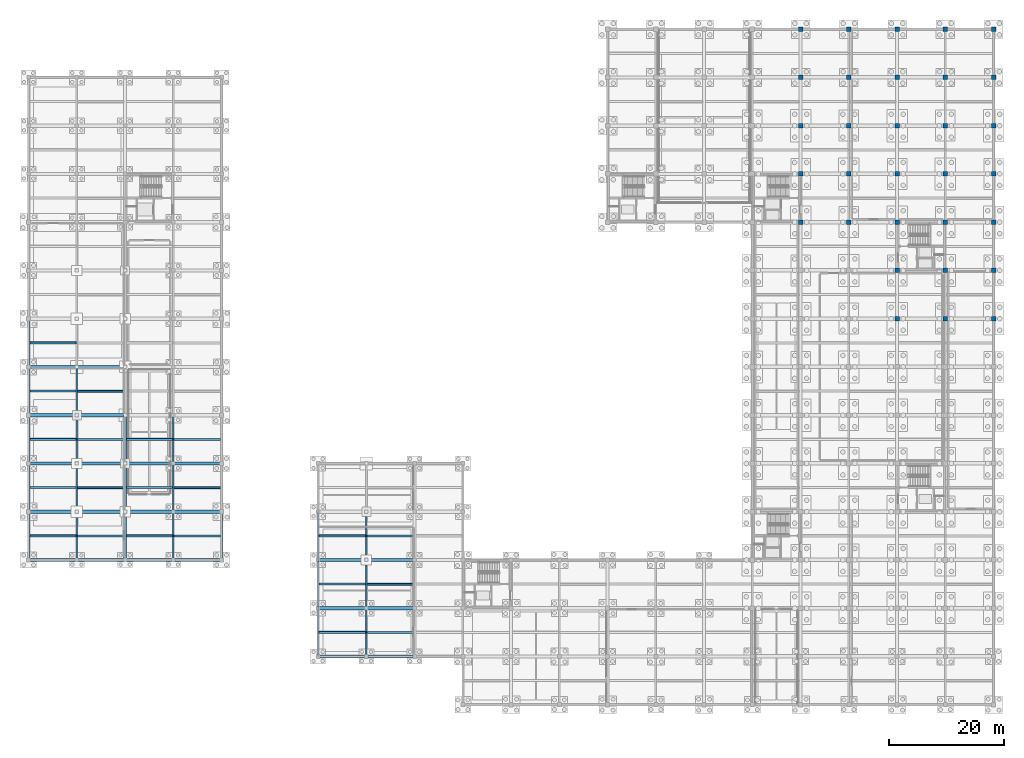
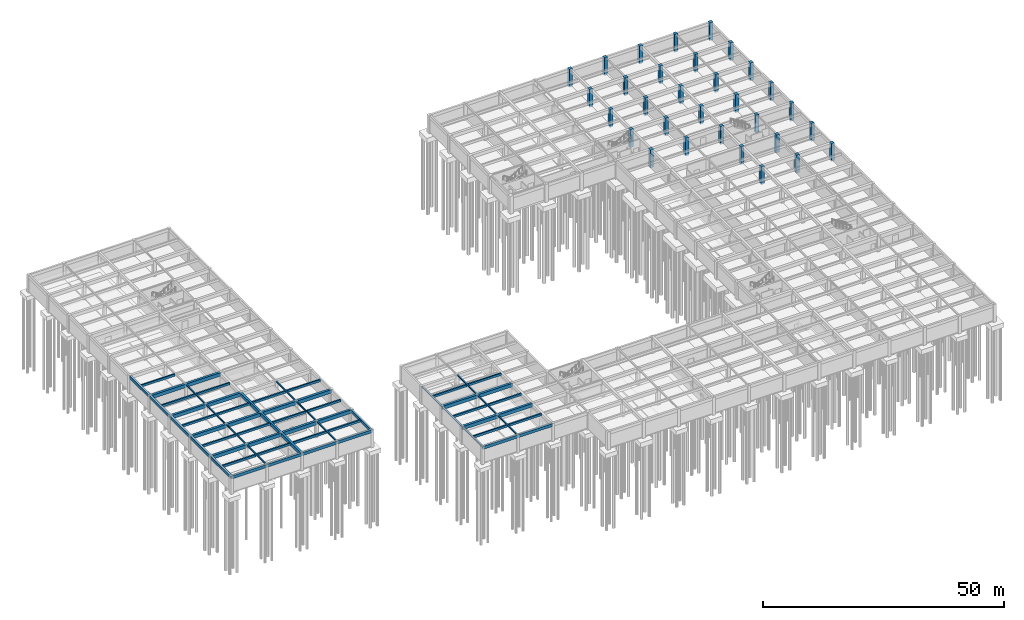
# One storey, part 8 of 33: 65 beams, 31 columns.
"""IFC4 building model written with IfcOpenShell, lengths in metres."""

from ifc_helpers import new_model, si_unit, direction, frame, origin, origin_2d, place, context, subcontext, project, spatial, rectangle, i_section, extrude, material, material_profile, profile_set, type_object, element, save


model = new_model("IFC4")

# Units and contexts
model_context = context("Model", 3, precision=1e-05, world=origin(), true_north=direction((0.0, 1.0)))
body_context = subcontext(model_context, "Body", "Model", "MODEL_VIEW")
ifc_project = project(units=[si_unit("LENGTHUNIT", "METRE"), si_unit("AREAUNIT", "SQUARE_METRE"), si_unit("VOLUMEUNIT", "CUBIC_METRE"), si_unit("PLANEANGLEUNIT", "RADIAN"), si_unit("MASSUNIT", "GRAM", prefix="KILO")], contexts=[model_context])

# Site, building, storey
site_placement = place(None, origin())
site = spatial("IfcSite", under=ifc_project, at=site_placement, CompositionType="ELEMENT")
building_placement = place(site_placement, origin())
building = spatial("IfcBuilding", under=site, at=building_placement, Name="Kveldsbrygga Polytechnic", CompositionType="ELEMENT")
storey_placement = place(building_placement, frame((0.0, 0.0, -4.419921875)))
storey = spatial("IfcBuildingStorey", under=building, at=storey_placement, Name="B1", CompositionType="ELEMENT", Elevation=-4.419921875)

# Columns
ifc_material_1 = material(Name="Concrete C45/55", Category="concrete")
ifc_material_profile_1 = material_profile(ifc_material_1, rectangle(XDim=0.780029296875, YDim=0.780029296875, at=origin_2d()), Name="RC 780x780")
ifc_profile_set_1 = profile_set([ifc_material_profile_1], Name="Concrete C45/55")
column_type_1 = type_object("IfcColumnType", Name="COL-RC-780", PredefinedType="COLUMN", material=ifc_profile_set_1)
for number, where, z_axis, x_axis, name in (
    (1, (134.39990234375, 92.39990234375, -0.400146484375), (0.0, 0.0, 1.0), (1.0, 0.0, 0.0), "Column COL-B1-16-11"),
    (2, (134.39990234375, 109.199951171875, -0.400146484375), (0.0, 0.0, 1.0), (1.0, 0.0, 0.0), "Column COL-B1-16-13"),
    (3, (142.800048828125, 84.0, -0.400146484375), (0.0, 0.0, 1.0), (1.0, 0.0, 0.0), "Column COL-B1-17-10"),
    (4, (142.800048828125, 100.800048828125, -0.400146484375), (0.0, 0.0, 1.0), (1.0, 0.0, 0.0), "Column COL-B1-17-12"),
    (5, (142.800048828125, 117.60009765625, -0.400146484375), (0.0, 0.0, 1.0), (1.0, 0.0, 0.0), "Column COL-B1-17-14"),
    (6, (151.199951171875, 75.60009765625, -0.400146484375), (0.0, 0.0, 1.0), (1.0, 0.0, 0.0), "Column COL-B1-18-09"),
    (7, (151.199951171875, 92.39990234375, -0.400146484375), (0.0, 0.0, 1.0), (1.0, 0.0, 0.0), "Column COL-B1-18-11"),
    (8, (151.199951171875, 109.199951171875, -0.400146484375), (0.0, 0.0, 1.0), (1.0, 0.0, 0.0), "Column COL-B1-18-13"),
    (9, (159.60009765625, 67.199951171875, -0.400146484375), (0.0, 0.0, 1.0), (1.0, 0.0, 0.0), "Column COL-B1-19-08"),
    (10, (159.60009765625, 84.0, -0.400146484375), (0.0, 0.0, 1.0), (1.0, 0.0, 0.0), "Column COL-B1-19-10"),
    (11, (159.60009765625, 100.800048828125, -0.400146484375), (0.0, 0.0, 1.0), (1.0, 0.0, 0.0), "Column COL-B1-19-12"),
    (12, (159.60009765625, 117.60009765625, -0.400146484375), (0.0, 0.0, 1.0), (1.0, 0.0, 0.0), "Column COL-B1-19-14"),
    (13, (168.0, 75.60009765625, -0.400146484375), (0.0, 0.0, 1.0), (1.0, 0.0, 0.0), "Column COL-B1-20-09"),
    (14, (168.0, 92.39990234375, -0.400146484375), (0.0, 0.0, 1.0), (1.0, 0.0, 0.0), "Column COL-B1-20-11"),
    (15, (168.0, 109.199951171875, -0.400146484375), (0.0, 0.0, 1.0), (1.0, 0.0, 0.0), "Column COL-B1-20-13"),
):
    element("IfcColumn", number, at=place(storey_placement, frame(where, z_axis=z_axis, x_axis=x_axis)), inside=storey, type_object=column_type_1, Name=name, PredefinedType="COLUMN", context=body_context, shape_type="SweptSolid", body=[
        extrude(rectangle(XDim=0.780029296875, YDim=0.780029296875, at=origin_2d()), origin(), (0.0, 0.0, 1.0), 4.52001953125),
    ])
ifc_material_profile_2 = material_profile(ifc_material_1, rectangle(XDim=0.800048828125, YDim=0.800048828125, at=origin_2d()), Name="RC 800x800")
ifc_profile_set_2 = profile_set([ifc_material_profile_2], Name="Concrete C45/55")
column_type_2 = type_object("IfcColumnType", Name="COL-RC-800", PredefinedType="COLUMN", material=ifc_profile_set_2)
for number, where, z_axis, x_axis, name in (
    (16, (134.39990234375, 84.0, -0.400146484375), (0.0, 0.0, 1.0), (1.0, 0.0, 0.0), "Column COL-B1-16-10"),
    (17, (134.39990234375, 100.800048828125, -0.400146484375), (0.0, 0.0, 1.0), (1.0, 0.0, 0.0), "Column COL-B1-16-12"),
    (18, (134.39990234375, 117.60009765625, -0.400146484375), (0.0, 0.0, 1.0), (1.0, 0.0, 0.0), "Column COL-B1-16-14"),
    (19, (142.800048828125, 92.39990234375, -0.400146484375), (0.0, 0.0, 1.0), (1.0, 0.0, 0.0), "Column COL-B1-17-11"),
    (20, (142.800048828125, 109.199951171875, -0.400146484375), (0.0, 0.0, 1.0), (1.0, 0.0, 0.0), "Column COL-B1-17-13"),
    (21, (151.199951171875, 67.199951171875, -0.400146484375), (0.0, 0.0, 1.0), (1.0, 0.0, 0.0), "Column COL-B1-18-08"),
    (22, (151.199951171875, 84.0, -0.400146484375), (0.0, 0.0, 1.0), (1.0, 0.0, 0.0), "Column COL-B1-18-10"),
    (23, (151.199951171875, 100.800048828125, -0.400146484375), (0.0, 0.0, 1.0), (1.0, 0.0, 0.0), "Column COL-B1-18-12"),
    (24, (151.199951171875, 117.60009765625, -0.400146484375), (0.0, 0.0, 1.0), (1.0, 0.0, 0.0), "Column COL-B1-18-14"),
    (25, (159.60009765625, 75.60009765625, -0.400146484375), (0.0, 0.0, 1.0), (1.0, 0.0, 0.0), "Column COL-B1-19-09"),
    (26, (159.60009765625, 92.39990234375, -0.400146484375), (0.0, 0.0, 1.0), (1.0, 0.0, 0.0), "Column COL-B1-19-11"),
    (27, (159.60009765625, 109.199951171875, -0.400146484375), (0.0, 0.0, 1.0), (1.0, 0.0, 0.0), "Column COL-B1-19-13"),
    (28, (168.0, 67.199951171875, -0.400146484375), (0.0, 0.0, 1.0), (1.0, 0.0, 0.0), "Column COL-B1-20-08"),
    (29, (168.0, 84.0, -0.400146484375), (0.0, 0.0, 1.0), (1.0, 0.0, 0.0), "Column COL-B1-20-10"),
    (30, (168.0, 100.800048828125, -0.400146484375), (0.0, 0.0, 1.0), (1.0, 0.0, 0.0), "Column COL-B1-20-12"),
    (31, (168.0, 117.60009765625, -0.400146484375), (0.0, 0.0, 1.0), (1.0, 0.0, 0.0), "Column COL-B1-20-14"),
):
    element("IfcColumn", number, at=place(storey_placement, frame(where, z_axis=z_axis, x_axis=x_axis)), inside=storey, type_object=column_type_2, Name=name, PredefinedType="COLUMN", context=body_context, shape_type="SweptSolid", body=[
        extrude(rectangle(XDim=0.800048828125, YDim=0.800048828125, at=origin_2d()), origin(), (0.0, 0.0, 1.0), 4.52001953125),
    ])

# Beams
ifc_material_2 = material(Name="Concrete C35/45", Category="concrete")
ifc_material_profile_3 = material_profile(ifc_material_2, rectangle(XDim=0.449951171875, YDim=0.75, at=origin_2d()), Name="RC 450x750")
ifc_profile_set_3 = profile_set([ifc_material_profile_3], Name="Concrete C35/45")
beam_type_1 = type_object("IfcBeamType", Name="BM-RC-450x750", PredefinedType="BEAM", material=ifc_profile_set_3)
beam_1_placement = place(storey_placement, frame((50.39990234375, 8.39990234375, 3.724853515625), z_axis=(1.0, 0.0, 0.0), x_axis=(0.0, 1.0, 0.0)))
element("IfcBeam", 32, at=beam_1_placement, inside=storey, type_object=beam_type_1, Name="Primary Beam BMX-B1-06to07-01", PredefinedType="BEAM", context=body_context, shape_type="SweptSolid", body=[
    extrude(rectangle(XDim=0.449951171875, YDim=0.75, at=origin_2d()), origin(), (0.0, 0.0, 1.0), 8.400146484375),
])
for number, where, z_axis, x_axis, name in (
    (33, (58.800048828125, 8.39990234375, 3.724853515625), (1.0, 0.0, 0.0), (0.0, 1.0, 0.0), "Primary Beam BMX-B1-07to08-01"),
    (34, (0.0, 25.199951171875, 3.704833984375), (1.0, 0.0, 0.0), (0.0, 1.0, 0.0), "Primary Beam BMX-B1-00to01-03"),
):
    element("IfcBeam", number, at=place(storey_placement, frame(where, z_axis=z_axis, x_axis=x_axis)), inside=storey, type_object=beam_type_1, Name=name, PredefinedType="BEAM", context=body_context, shape_type="SweptSolid", body=[
        extrude(rectangle(XDim=0.449951171875, YDim=0.75, at=origin_2d()), origin(), (0.0, 0.0, 1.0), 8.39990234375),
    ])
beam_2_placement = place(storey_placement, frame((8.39990234375, 25.199951171875, 3.704833984375), z_axis=(1.0, 0.0, 0.0), x_axis=(0.0, 1.0, 0.0)))
element("IfcBeam", 35, at=beam_2_placement, inside=storey, type_object=beam_type_1, Name="Primary Beam BMX-B1-01to02-03", PredefinedType="BEAM", context=body_context, shape_type="SweptSolid", body=[
    extrude(rectangle(XDim=0.449951171875, YDim=0.75, at=origin_2d()), origin(), (0.0, 0.0, 1.0), 8.400146484375),
])
beam_3_placement = place(storey_placement, frame((16.800048828125, 25.199951171875, 3.704833984375), z_axis=(1.0, 0.0, 0.0), x_axis=(0.0, 1.0, 0.0)))
element("IfcBeam", 36, at=beam_3_placement, inside=storey, type_object=beam_type_1, Name="Primary Beam BMX-B1-02to03-03", PredefinedType="BEAM", context=body_context, shape_type="SweptSolid", body=[
    extrude(rectangle(XDim=0.449951171875, YDim=0.75, at=origin_2d()), origin(), (0.0, 0.0, 1.0), 8.39990234375),
])
for number, where, z_axis, x_axis, name in (
    (37, (25.199951171875, 25.199951171875, 3.704833984375), (1.0, 0.0, 0.0), (0.0, 1.0, 0.0), "Primary Beam BMX-B1-03to04-03"),
    (38, (0.0, 25.199951171875, 3.704833984375), (0.0, 1.0, 0.0), (-1.0, 0.0, 0.0), "Primary Beam BMY-B1-00-03to04"),
):
    element("IfcBeam", number, at=place(storey_placement, frame(where, z_axis=z_axis, x_axis=x_axis)), inside=storey, type_object=beam_type_1, Name=name, PredefinedType="BEAM", context=body_context, shape_type="SweptSolid", body=[
        extrude(rectangle(XDim=0.449951171875, YDim=0.75, at=origin_2d()), origin(), (0.0, 0.0, 1.0), 8.400146484375),
    ])
for number, where, z_axis, x_axis, name in (
    (39, (0.0, 33.60009765625, 3.704833984375), (0.0, 1.0, 0.0), (-1.0, 0.0, 0.0), "Primary Beam BMY-B1-00-04to05"),
    (40, (0.0, 42.0, 3.704833984375), (0.0, 1.0, 0.0), (-1.0, 0.0, 0.0), "Primary Beam BMY-B1-00-05to06"),
):
    element("IfcBeam", number, at=place(storey_placement, frame(where, z_axis=z_axis, x_axis=x_axis)), inside=storey, type_object=beam_type_1, Name=name, PredefinedType="BEAM", context=body_context, shape_type="SweptSolid", body=[
        extrude(rectangle(XDim=0.449951171875, YDim=0.75, at=origin_2d()), origin(), (0.0, 0.0, 1.0), 8.39990234375),
    ])
beam_4_placement = place(storey_placement, frame((0.0, 50.39990234375, 3.704833984375), z_axis=(0.0, 1.0, 0.0), x_axis=(-1.0, 0.0, 0.0)))
element("IfcBeam", 41, at=beam_4_placement, inside=storey, type_object=beam_type_1, Name="Primary Beam BMY-B1-00-06to07", PredefinedType="BEAM", context=body_context, shape_type="SweptSolid", body=[
    extrude(rectangle(XDim=0.449951171875, YDim=0.75, at=origin_2d()), origin(), (0.0, 0.0, 1.0), 8.400146484375),
])
beam_5_placement = place(storey_placement, frame((0.0, 58.800048828125, 3.704833984375), z_axis=(0.0, 1.0, 0.0), x_axis=(-1.0, 0.0, 0.0)))
element("IfcBeam", 42, at=beam_5_placement, inside=storey, type_object=beam_type_1, Name="Primary Beam BMY-B1-00-07to08", PredefinedType="BEAM", context=body_context, shape_type="SweptSolid", body=[
    extrude(rectangle(XDim=0.449951171875, YDim=0.75, at=origin_2d()), origin(), (0.0, 0.0, 1.0), 8.39990234375),
])
beam_6_placement = place(storey_placement, frame((33.60009765625, 25.199951171875, 3.704833984375), z_axis=(0.0, 1.0, 0.0), x_axis=(-1.0, 0.0, 0.0)))
element("IfcBeam", 43, at=beam_6_placement, inside=storey, type_object=beam_type_1, Name="Primary Beam BMY-B1-04-03to04", PredefinedType="BEAM", context=body_context, shape_type="SweptSolid", body=[
    extrude(rectangle(XDim=0.449951171875, YDim=0.75, at=origin_2d()), origin(), (0.0, 0.0, 1.0), 8.400146484375),
])
ifc_material_profile_4 = material_profile(ifc_material_2, rectangle(XDim=0.5, YDim=0.800048828125, at=origin_2d()), Name="RC 500x800")
ifc_profile_set_4 = profile_set([ifc_material_profile_4], Name="Concrete C35/45")
beam_type_2 = type_object("IfcBeamType", Name="BM-RC-500x800", PredefinedType="BEAM", material=ifc_profile_set_4)
beam_7_placement = place(storey_placement, frame((16.800048828125, 25.199951171875, 3.679931640625), z_axis=(0.0, 1.0, 0.0), x_axis=(-1.0, 0.0, 0.0)))
element("IfcBeam", 44, at=beam_7_placement, inside=storey, type_object=beam_type_2, Name="Primary Beam BMY-B1-02-03to04", PredefinedType="BEAM", context=body_context, shape_type="SweptSolid", body=[
    extrude(rectangle(XDim=0.5, YDim=0.800048828125, at=origin_2d()), origin(), (0.0, 0.0, 1.0), 8.400146484375),
])
for number, where, z_axis, x_axis, name in (
    (45, (16.800048828125, 33.60009765625, 3.679931640625), (0.0, 1.0, 0.0), (-1.0, 0.0, 0.0), "Primary Beam BMY-B1-02-04to05"),
    (46, (16.800048828125, 42.0, 3.679931640625), (0.0, 1.0, 0.0), (-1.0, 0.0, 0.0), "Primary Beam BMY-B1-02-05to06"),
):
    element("IfcBeam", number, at=place(storey_placement, frame(where, z_axis=z_axis, x_axis=x_axis)), inside=storey, type_object=beam_type_2, Name=name, PredefinedType="BEAM", context=body_context, shape_type="SweptSolid", body=[
        extrude(rectangle(XDim=0.5, YDim=0.800048828125, at=origin_2d()), origin(), (0.0, 0.0, 1.0), 8.39990234375),
    ])
ifc_material_profile_5 = material_profile(ifc_material_1, rectangle(XDim=0.550048828125, YDim=0.8798828125, at=origin_2d()), Name="RC 550x880")
ifc_profile_set_5 = profile_set([ifc_material_profile_5], Name="Concrete C45/55")
beam_type_3 = type_object("IfcBeamType", Name="BM-RC-550x880", PredefinedType="BEAM", material=ifc_profile_set_5)
beam_8_placement = place(storey_placement, frame((50.39990234375, 16.800048828125, 3.659912109375), z_axis=(1.0, 0.0, 0.0), x_axis=(0.0, 1.0, 0.0)))
element("IfcBeam", 47, at=beam_8_placement, inside=storey, type_object=beam_type_3, Name="Primary Beam BMX-B1-06to07-02", PredefinedType="BEAM", context=body_context, shape_type="SweptSolid", body=[
    extrude(rectangle(XDim=0.550048828125, YDim=0.8798828125, at=origin_2d()), origin(), (0.0, 0.0, 1.0), 8.400146484375),
])
beam_9_placement = place(storey_placement, frame((58.800048828125, 16.800048828125, 3.659912109375), z_axis=(1.0, 0.0, 0.0), x_axis=(0.0, 1.0, 0.0)))
element("IfcBeam", 48, at=beam_9_placement, inside=storey, type_object=beam_type_3, Name="Primary Beam BMX-B1-07to08-02", PredefinedType="BEAM", context=body_context, shape_type="SweptSolid", body=[
    extrude(rectangle(XDim=0.550048828125, YDim=0.8798828125, at=origin_2d()), origin(), (0.0, 0.0, 1.0), 8.39990234375),
])
beam_10_placement = place(storey_placement, frame((50.39990234375, 25.199951171875, 3.659912109375), z_axis=(1.0, 0.0, 0.0), x_axis=(0.0, 1.0, 0.0)))
element("IfcBeam", 49, at=beam_10_placement, inside=storey, type_object=beam_type_3, Name="Primary Beam BMX-B1-06to07-03", PredefinedType="BEAM", context=body_context, shape_type="SweptSolid", body=[
    extrude(rectangle(XDim=0.550048828125, YDim=0.8798828125, at=origin_2d()), origin(), (0.0, 0.0, 1.0), 8.400146484375),
])
for number, where, z_axis, x_axis, name in (
    (50, (58.800048828125, 25.199951171875, 3.659912109375), (1.0, 0.0, 0.0), (0.0, 1.0, 0.0), "Primary Beam BMX-B1-07to08-03"),
    (51, (0.0, 33.60009765625, 3.639892578125), (1.0, 0.0, 0.0), (0.0, 1.0, 0.0), "Primary Beam BMX-B1-00to01-04"),
):
    element("IfcBeam", number, at=place(storey_placement, frame(where, z_axis=z_axis, x_axis=x_axis)), inside=storey, type_object=beam_type_3, Name=name, PredefinedType="BEAM", context=body_context, shape_type="SweptSolid", body=[
        extrude(rectangle(XDim=0.550048828125, YDim=0.8798828125, at=origin_2d()), origin(), (0.0, 0.0, 1.0), 8.39990234375),
    ])
beam_11_placement = place(storey_placement, frame((8.39990234375, 33.60009765625, 3.639892578125), z_axis=(1.0, 0.0, 0.0), x_axis=(0.0, 1.0, 0.0)))
element("IfcBeam", 52, at=beam_11_placement, inside=storey, type_object=beam_type_3, Name="Primary Beam BMX-B1-01to02-04", PredefinedType="BEAM", context=body_context, shape_type="SweptSolid", body=[
    extrude(rectangle(XDim=0.550048828125, YDim=0.8798828125, at=origin_2d()), origin(), (0.0, 0.0, 1.0), 8.400146484375),
])
beam_12_placement = place(storey_placement, frame((16.800048828125, 33.60009765625, 3.639892578125), z_axis=(1.0, 0.0, 0.0), x_axis=(0.0, 1.0, 0.0)))
element("IfcBeam", 53, at=beam_12_placement, inside=storey, type_object=beam_type_3, Name="Primary Beam BMX-B1-02to03-04", PredefinedType="BEAM", context=body_context, shape_type="SweptSolid", body=[
    extrude(rectangle(XDim=0.550048828125, YDim=0.8798828125, at=origin_2d()), origin(), (0.0, 0.0, 1.0), 8.39990234375),
])
beam_13_placement = place(storey_placement, frame((25.199951171875, 33.60009765625, 3.639892578125), z_axis=(1.0, 0.0, 0.0), x_axis=(0.0, 1.0, 0.0)))
element("IfcBeam", 54, at=beam_13_placement, inside=storey, type_object=beam_type_3, Name="Primary Beam BMX-B1-03to04-04", PredefinedType="BEAM", context=body_context, shape_type="SweptSolid", body=[
    extrude(rectangle(XDim=0.550048828125, YDim=0.8798828125, at=origin_2d()), origin(), (0.0, 0.0, 1.0), 8.400146484375),
])
beam_14_placement = place(storey_placement, frame((0.0, 42.0, 3.639892578125), z_axis=(1.0, 0.0, 0.0), x_axis=(0.0, 1.0, 0.0)))
element("IfcBeam", 55, at=beam_14_placement, inside=storey, type_object=beam_type_3, Name="Primary Beam BMX-B1-00to01-05", PredefinedType="BEAM", context=body_context, shape_type="SweptSolid", body=[
    extrude(rectangle(XDim=0.550048828125, YDim=0.8798828125, at=origin_2d()), origin(), (0.0, 0.0, 1.0), 8.39990234375),
])
beam_15_placement = place(storey_placement, frame((8.39990234375, 42.0, 3.639892578125), z_axis=(1.0, 0.0, 0.0), x_axis=(0.0, 1.0, 0.0)))
element("IfcBeam", 56, at=beam_15_placement, inside=storey, type_object=beam_type_3, Name="Primary Beam BMX-B1-01to02-05", PredefinedType="BEAM", context=body_context, shape_type="SweptSolid", body=[
    extrude(rectangle(XDim=0.550048828125, YDim=0.8798828125, at=origin_2d()), origin(), (0.0, 0.0, 1.0), 8.400146484375),
])
beam_16_placement = place(storey_placement, frame((16.800048828125, 42.0, 3.639892578125), z_axis=(1.0, 0.0, 0.0), x_axis=(0.0, 1.0, 0.0)))
element("IfcBeam", 57, at=beam_16_placement, inside=storey, type_object=beam_type_3, Name="Primary Beam BMX-B1-02to03-05", PredefinedType="BEAM", context=body_context, shape_type="SweptSolid", body=[
    extrude(rectangle(XDim=0.550048828125, YDim=0.8798828125, at=origin_2d()), origin(), (0.0, 0.0, 1.0), 8.39990234375),
])
beam_17_placement = place(storey_placement, frame((25.199951171875, 42.0, 3.639892578125), z_axis=(1.0, 0.0, 0.0), x_axis=(0.0, 1.0, 0.0)))
element("IfcBeam", 58, at=beam_17_placement, inside=storey, type_object=beam_type_3, Name="Primary Beam BMX-B1-03to04-05", PredefinedType="BEAM", context=body_context, shape_type="SweptSolid", body=[
    extrude(rectangle(XDim=0.550048828125, YDim=0.8798828125, at=origin_2d()), origin(), (0.0, 0.0, 1.0), 8.400146484375),
])
beam_18_placement = place(storey_placement, frame((0.0, 50.39990234375, 3.639892578125), z_axis=(1.0, 0.0, 0.0), x_axis=(0.0, 1.0, 0.0)))
element("IfcBeam", 59, at=beam_18_placement, inside=storey, type_object=beam_type_3, Name="Primary Beam BMX-B1-00to01-06", PredefinedType="BEAM", context=body_context, shape_type="SweptSolid", body=[
    extrude(rectangle(XDim=0.550048828125, YDim=0.8798828125, at=origin_2d()), origin(), (0.0, 0.0, 1.0), 8.39990234375),
])
beam_19_placement = place(storey_placement, frame((8.39990234375, 50.39990234375, 3.639892578125), z_axis=(1.0, 0.0, 0.0), x_axis=(0.0, 1.0, 0.0)))
element("IfcBeam", 60, at=beam_19_placement, inside=storey, type_object=beam_type_3, Name="Primary Beam BMX-B1-01to02-06", PredefinedType="BEAM", context=body_context, shape_type="SweptSolid", body=[
    extrude(rectangle(XDim=0.550048828125, YDim=0.8798828125, at=origin_2d()), origin(), (0.0, 0.0, 1.0), 8.400146484375),
])
beam_20_placement = place(storey_placement, frame((0.0, 58.800048828125, 3.639892578125), z_axis=(1.0, 0.0, 0.0), x_axis=(0.0, 1.0, 0.0)))
element("IfcBeam", 61, at=beam_20_placement, inside=storey, type_object=beam_type_3, Name="Primary Beam BMX-B1-00to01-07", PredefinedType="BEAM", context=body_context, shape_type="SweptSolid", body=[
    extrude(rectangle(XDim=0.550048828125, YDim=0.8798828125, at=origin_2d()), origin(), (0.0, 0.0, 1.0), 8.39990234375),
])
beam_21_placement = place(storey_placement, frame((8.39990234375, 58.800048828125, 3.639892578125), z_axis=(1.0, 0.0, 0.0), x_axis=(0.0, 1.0, 0.0)))
element("IfcBeam", 62, at=beam_21_placement, inside=storey, type_object=beam_type_3, Name="Primary Beam BMX-B1-01to02-07", PredefinedType="BEAM", context=body_context, shape_type="SweptSolid", body=[
    extrude(rectangle(XDim=0.550048828125, YDim=0.8798828125, at=origin_2d()), origin(), (0.0, 0.0, 1.0), 8.400146484375),
])
ifc_material_3 = material(Name="Steel S355", Category="steel")
ifc_material_profile_6 = material_profile(ifc_material_3, i_section(OverallWidth=0.300048828125, OverallDepth=0.31005859375, WebThickness=0.009033203125, FlangeThickness=0.015380859375, FilletRadius=0.027099609375, at=origin_2d()), Name="HEA 320")
ifc_profile_set_6 = profile_set([ifc_material_profile_6], Name="Steel S355")
beam_type_4 = type_object("IfcBeamType", Name="BM-STL-HEA320", PredefinedType="BEAM", material=ifc_profile_set_6)
beam_22_placement = place(storey_placement, frame((50.39990234375, 8.39990234375, 3.94482421875), z_axis=(0.0, 1.0, 0.0), x_axis=(-1.0, 0.0, 0.0)))
element("IfcBeam", 63, at=beam_22_placement, inside=storey, type_object=beam_type_4, Name="Primary Beam BMY-B1-06-01to02", PredefinedType="BEAM", context=body_context, shape_type="SweptSolid", body=[
    extrude(i_section(OverallWidth=0.300048828125, OverallDepth=0.31005859375, WebThickness=0.009033203125, FlangeThickness=0.015380859375, FilletRadius=0.027099609375, at=origin_2d()), origin(), (0.0, 0.0, 1.0), 8.400146484375),
])
beam_23_placement = place(storey_placement, frame((50.39990234375, 16.800048828125, 3.94482421875), z_axis=(0.0, 1.0, 0.0), x_axis=(-1.0, 0.0, 0.0)))
element("IfcBeam", 64, at=beam_23_placement, inside=storey, type_object=beam_type_4, Name="Primary Beam BMY-B1-06-02to03", PredefinedType="BEAM", context=body_context, shape_type="SweptSolid", body=[
    extrude(i_section(OverallWidth=0.300048828125, OverallDepth=0.31005859375, WebThickness=0.009033203125, FlangeThickness=0.015380859375, FilletRadius=0.027099609375, at=origin_2d()), origin(), (0.0, 0.0, 1.0), 8.39990234375),
])
beam_24_placement = place(storey_placement, frame((50.39990234375, 25.199951171875, 3.94482421875), z_axis=(0.0, 1.0, 0.0), x_axis=(-1.0, 0.0, 0.0)))
element("IfcBeam", 65, at=beam_24_placement, inside=storey, type_object=beam_type_4, Name="Primary Beam BMY-B1-06-03to04", PredefinedType="BEAM", context=body_context, shape_type="SweptSolid", body=[
    extrude(i_section(OverallWidth=0.300048828125, OverallDepth=0.31005859375, WebThickness=0.009033203125, FlangeThickness=0.015380859375, FilletRadius=0.027099609375, at=origin_2d()), origin(), (0.0, 0.0, 1.0), 8.400146484375),
])
ifc_material_profile_7 = material_profile(ifc_material_3, i_section(OverallWidth=0.260009765625, OverallDepth=0.260009765625, WebThickness=0.010009765625, FlangeThickness=0.017578125, FilletRadius=0.02392578125, at=origin_2d()), Name="HEB 260")
ifc_profile_set_7 = profile_set([ifc_material_profile_7], Name="Steel S355")
beam_type_5 = type_object("IfcBeamType", Name="BM-STL-HEB260", PredefinedType="BEAM", material=ifc_profile_set_7)
beam_25_placement = place(storey_placement, frame((8.39990234375, 25.199951171875, 3.949951171875), z_axis=(0.0, 1.0, 0.0), x_axis=(-1.0, 0.0, 0.0)))
element("IfcBeam", 66, at=beam_25_placement, inside=storey, type_object=beam_type_5, Name="Primary Beam BMY-B1-01-03to04", PredefinedType="BEAM", context=body_context, shape_type="SweptSolid", body=[
    extrude(i_section(OverallWidth=0.260009765625, OverallDepth=0.260009765625, WebThickness=0.010009765625, FlangeThickness=0.017578125, FilletRadius=0.02392578125, at=origin_2d()), origin(), (0.0, 0.0, 1.0), 8.400146484375),
])
for number, where, z_axis, x_axis, name in (
    (67, (8.39990234375, 33.60009765625, 3.949951171875), (0.0, 1.0, 0.0), (-1.0, 0.0, 0.0), "Primary Beam BMY-B1-01-04to05"),
    (68, (8.39990234375, 42.0, 3.949951171875), (0.0, 1.0, 0.0), (-1.0, 0.0, 0.0), "Primary Beam BMY-B1-01-05to06"),
):
    element("IfcBeam", number, at=place(storey_placement, frame(where, z_axis=z_axis, x_axis=x_axis)), inside=storey, type_object=beam_type_5, Name=name, PredefinedType="BEAM", context=body_context, shape_type="SweptSolid", body=[
        extrude(i_section(OverallWidth=0.260009765625, OverallDepth=0.260009765625, WebThickness=0.010009765625, FlangeThickness=0.017578125, FilletRadius=0.02392578125, at=origin_2d()), origin(), (0.0, 0.0, 1.0), 8.39990234375),
    ])
for number, where, z_axis, x_axis, name in (
    (69, (8.39990234375, 50.39990234375, 3.949951171875), (0.0, 1.0, 0.0), (-1.0, 0.0, 0.0), "Primary Beam BMY-B1-01-06to07"),
    (70, (25.199951171875, 25.199951171875, 3.949951171875), (0.0, 1.0, 0.0), (-1.0, 0.0, 0.0), "Primary Beam BMY-B1-03-03to04"),
):
    element("IfcBeam", number, at=place(storey_placement, frame(where, z_axis=z_axis, x_axis=x_axis)), inside=storey, type_object=beam_type_5, Name=name, PredefinedType="BEAM", context=body_context, shape_type="SweptSolid", body=[
        extrude(i_section(OverallWidth=0.260009765625, OverallDepth=0.260009765625, WebThickness=0.010009765625, FlangeThickness=0.017578125, FilletRadius=0.02392578125, at=origin_2d()), origin(), (0.0, 0.0, 1.0), 8.400146484375),
    ])
for number, where, z_axis, x_axis, name in (
    (71, (25.199951171875, 33.60009765625, 3.949951171875), (0.0, 1.0, 0.0), (-1.0, 0.0, 0.0), "Primary Beam BMY-B1-03-04to05"),
    (72, (25.199951171875, 42.0, 3.949951171875), (0.0, 1.0, 0.0), (-1.0, 0.0, 0.0), "Primary Beam BMY-B1-03-05to06"),
):
    element("IfcBeam", number, at=place(storey_placement, frame(where, z_axis=z_axis, x_axis=x_axis)), inside=storey, type_object=beam_type_5, Name=name, PredefinedType="BEAM", context=body_context, shape_type="SweptSolid", body=[
        extrude(i_section(OverallWidth=0.260009765625, OverallDepth=0.260009765625, WebThickness=0.010009765625, FlangeThickness=0.017578125, FilletRadius=0.02392578125, at=origin_2d()), origin(), (0.0, 0.0, 1.0), 8.39990234375),
    ])
beam_26_placement = place(storey_placement, frame((58.800048828125, 8.39990234375, 3.969970703125), z_axis=(0.0, 1.0, 0.0), x_axis=(-1.0, 0.0, 0.0)))
element("IfcBeam", 73, at=beam_26_placement, inside=storey, type_object=beam_type_5, Name="Primary Beam BMY-B1-07-01to02", PredefinedType="BEAM", context=body_context, shape_type="SweptSolid", body=[
    extrude(i_section(OverallWidth=0.260009765625, OverallDepth=0.260009765625, WebThickness=0.010009765625, FlangeThickness=0.017578125, FilletRadius=0.02392578125, at=origin_2d()), origin(), (0.0, 0.0, 1.0), 8.400146484375),
])
beam_27_placement = place(storey_placement, frame((58.800048828125, 16.800048828125, 3.969970703125), z_axis=(0.0, 1.0, 0.0), x_axis=(-1.0, 0.0, 0.0)))
element("IfcBeam", 74, at=beam_27_placement, inside=storey, type_object=beam_type_5, Name="Primary Beam BMY-B1-07-02to03", PredefinedType="BEAM", context=body_context, shape_type="SweptSolid", body=[
    extrude(i_section(OverallWidth=0.260009765625, OverallDepth=0.260009765625, WebThickness=0.010009765625, FlangeThickness=0.017578125, FilletRadius=0.02392578125, at=origin_2d()), origin(), (0.0, 0.0, 1.0), 8.39990234375),
])
beam_28_placement = place(storey_placement, frame((58.800048828125, 25.199951171875, 3.969970703125), z_axis=(0.0, 1.0, 0.0), x_axis=(-1.0, 0.0, 0.0)))
element("IfcBeam", 75, at=beam_28_placement, inside=storey, type_object=beam_type_5, Name="Primary Beam BMY-B1-07-03to04", PredefinedType="BEAM", context=body_context, shape_type="SweptSolid", body=[
    extrude(i_section(OverallWidth=0.260009765625, OverallDepth=0.260009765625, WebThickness=0.010009765625, FlangeThickness=0.017578125, FilletRadius=0.02392578125, at=origin_2d()), origin(), (0.0, 0.0, 1.0), 8.400146484375),
])
ifc_material_profile_8 = material_profile(ifc_material_2, rectangle(XDim=0.340087890625, YDim=0.56005859375, at=origin_2d()), Name="RC 340x560")
ifc_profile_set_8 = profile_set([ifc_material_profile_8], Name="Concrete C35/45")
beam_type_6 = type_object("IfcBeamType", Name="JST-RC-340x560", PredefinedType="JOIST", material=ifc_profile_set_8)
for number, where, z_axis, x_axis, name in (
    (76, (0.22509765625, 29.39990234375, 3.7998046875), (1.0, 0.0, 0.0), (0.0, 1.0, 0.0), "Secondary Joist JST-B1-00-03"),
    (77, (0.22509765625, 46.199951171875, 3.7998046875), (1.0, 0.0, 0.0), (0.0, 1.0, 0.0), "Secondary Joist JST-B1-00-05"),
    (78, (0.22509765625, 63.0, 3.7998046875), (1.0, 0.0, 0.0), (0.0, 1.0, 0.0), "Secondary Joist JST-B1-00-07"),
):
    element("IfcBeam", number, at=place(storey_placement, frame(where, z_axis=z_axis, x_axis=x_axis)), inside=storey, type_object=beam_type_6, Name=name, PredefinedType="JOIST", context=body_context, shape_type="SweptSolid", body=[
        extrude(rectangle(XDim=0.340087890625, YDim=0.56005859375, at=origin_2d()), origin(), (0.0, 0.0, 1.0), 8.044921875),
    ])
for number, where, z_axis, x_axis, name in (
    (79, (8.530029296875, 37.800048828125, 3.7998046875), (1.0, 0.0, 0.0), (0.0, 1.0, 0.0), "Secondary Joist JST-B1-01-04"),
    (80, (8.530029296875, 54.60009765625, 3.7998046875), (1.0, 0.0, 0.0), (0.0, 1.0, 0.0), "Secondary Joist JST-B1-01-06"),
    (81, (17.050048828125, 29.39990234375, 3.7998046875), (1.0, 0.0, 0.0), (0.0, 1.0, 0.0), "Secondary Joist JST-B1-02-03"),
    (82, (17.050048828125, 46.199951171875, 3.7998046875), (1.0, 0.0, 0.0), (0.0, 1.0, 0.0), "Secondary Joist JST-B1-02-05"),
):
    element("IfcBeam", number, at=place(storey_placement, frame(where, z_axis=z_axis, x_axis=x_axis)), inside=storey, type_object=beam_type_6, Name=name, PredefinedType="JOIST", context=body_context, shape_type="SweptSolid", body=[
        extrude(rectangle(XDim=0.340087890625, YDim=0.56005859375, at=origin_2d()), origin(), (0.0, 0.0, 1.0), 8.02001953125),
    ])
beam_29_placement = place(storey_placement, frame((25.330078125, 37.800048828125, 3.7998046875), z_axis=(1.0, 0.0, 0.0), x_axis=(0.0, 1.0, 0.0)))
element("IfcBeam", 83, at=beam_29_placement, inside=storey, type_object=beam_type_6, Name="Secondary Joist JST-B1-03-04", PredefinedType="JOIST", context=body_context, shape_type="SweptSolid", body=[
    extrude(rectangle(XDim=0.340087890625, YDim=0.56005859375, at=origin_2d()), origin(), (0.0, 0.0, 1.0), 8.044921875),
])
for number, where, z_axis, x_axis, name in (
    (84, (50.550048828125, 12.60009765625, 3.81982421875), (1.0, 0.0, 0.0), (0.0, 1.0, 0.0), "Secondary Joist JST-B1-06-01"),
    (85, (50.550048828125, 29.39990234375, 3.81982421875), (1.0, 0.0, 0.0), (0.0, 1.0, 0.0), "Secondary Joist JST-B1-06-03"),
):
    element("IfcBeam", number, at=place(storey_placement, frame(where, z_axis=z_axis, x_axis=x_axis)), inside=storey, type_object=beam_type_6, Name=name, PredefinedType="JOIST", context=body_context, shape_type="SweptSolid", body=[
        extrude(rectangle(XDim=0.340087890625, YDim=0.56005859375, at=origin_2d()), origin(), (0.0, 0.0, 1.0), 8.119873046875),
    ])
beam_30_placement = place(storey_placement, frame((58.929931640625, 21.0, 3.81982421875), z_axis=(1.0, 0.0, 0.0), x_axis=(0.0, 1.0, 0.0)))
element("IfcBeam", 86, at=beam_30_placement, inside=storey, type_object=beam_type_6, Name="Secondary Joist JST-B1-07-02", PredefinedType="JOIST", context=body_context, shape_type="SweptSolid", body=[
    extrude(rectangle(XDim=0.340087890625, YDim=0.56005859375, at=origin_2d()), origin(), (0.0, 0.0, 1.0), 8.02001953125),
])
ifc_material_profile_9 = material_profile(ifc_material_2, rectangle(XDim=0.35009765625, YDim=0.550048828125, at=origin_2d()), Name="RC 350x550")
ifc_profile_set_9 = profile_set([ifc_material_profile_9], Name="Concrete C35/45")
beam_type_7 = type_object("IfcBeamType", Name="JST-RC-350x550", PredefinedType="JOIST", material=ifc_profile_set_9)
for number, where, z_axis, x_axis, name in (
    (87, (0.22509765625, 37.800048828125, 3.804931640625), (1.0, 0.0, 0.0), (0.0, 1.0, 0.0), "Secondary Joist JST-B1-00-04"),
    (88, (0.22509765625, 54.60009765625, 3.804931640625), (1.0, 0.0, 0.0), (0.0, 1.0, 0.0), "Secondary Joist JST-B1-00-06"),
):
    element("IfcBeam", number, at=place(storey_placement, frame(where, z_axis=z_axis, x_axis=x_axis)), inside=storey, type_object=beam_type_7, Name=name, PredefinedType="JOIST", context=body_context, shape_type="SweptSolid", body=[
        extrude(rectangle(XDim=0.35009765625, YDim=0.550048828125, at=origin_2d()), origin(), (0.0, 0.0, 1.0), 8.044921875),
    ])
for number, where, z_axis, x_axis, name in (
    (89, (8.530029296875, 29.39990234375, 3.804931640625), (1.0, 0.0, 0.0), (0.0, 1.0, 0.0), "Secondary Joist JST-B1-01-03"),
    (90, (8.530029296875, 46.199951171875, 3.804931640625), (1.0, 0.0, 0.0), (0.0, 1.0, 0.0), "Secondary Joist JST-B1-01-05"),
    (91, (17.050048828125, 37.800048828125, 3.804931640625), (1.0, 0.0, 0.0), (0.0, 1.0, 0.0), "Secondary Joist JST-B1-02-04"),
):
    element("IfcBeam", number, at=place(storey_placement, frame(where, z_axis=z_axis, x_axis=x_axis)), inside=storey, type_object=beam_type_7, Name=name, PredefinedType="JOIST", context=body_context, shape_type="SweptSolid", body=[
        extrude(rectangle(XDim=0.35009765625, YDim=0.550048828125, at=origin_2d()), origin(), (0.0, 0.0, 1.0), 8.02001953125),
    ])
for number, where, z_axis, x_axis, name in (
    (92, (25.330078125, 29.39990234375, 3.804931640625), (1.0, 0.0, 0.0), (0.0, 1.0, 0.0), "Secondary Joist JST-B1-03-03"),
    (93, (25.330078125, 46.199951171875, 3.804931640625), (1.0, 0.0, 0.0), (0.0, 1.0, 0.0), "Secondary Joist JST-B1-03-05"),
):
    element("IfcBeam", number, at=place(storey_placement, frame(where, z_axis=z_axis, x_axis=x_axis)), inside=storey, type_object=beam_type_7, Name=name, PredefinedType="JOIST", context=body_context, shape_type="SweptSolid", body=[
        extrude(rectangle(XDim=0.35009765625, YDim=0.550048828125, at=origin_2d()), origin(), (0.0, 0.0, 1.0), 8.044921875),
    ])
beam_31_placement = place(storey_placement, frame((50.550048828125, 21.0, 3.824951171875), z_axis=(1.0, 0.0, 0.0), x_axis=(0.0, 1.0, 0.0)))
element("IfcBeam", 94, at=beam_31_placement, inside=storey, type_object=beam_type_7, Name="Secondary Joist JST-B1-06-02", PredefinedType="JOIST", context=body_context, shape_type="SweptSolid", body=[
    extrude(rectangle(XDim=0.35009765625, YDim=0.550048828125, at=origin_2d()), origin(), (0.0, 0.0, 1.0), 8.119873046875),
])
for number, where, z_axis, x_axis, name in (
    (95, (58.929931640625, 12.60009765625, 3.824951171875), (1.0, 0.0, 0.0), (0.0, 1.0, 0.0), "Secondary Joist JST-B1-07-01"),
    (96, (58.929931640625, 29.39990234375, 3.824951171875), (1.0, 0.0, 0.0), (0.0, 1.0, 0.0), "Secondary Joist JST-B1-07-03"),
):
    element("IfcBeam", number, at=place(storey_placement, frame(where, z_axis=z_axis, x_axis=x_axis)), inside=storey, type_object=beam_type_7, Name=name, PredefinedType="JOIST", context=body_context, shape_type="SweptSolid", body=[
        extrude(rectangle(XDim=0.35009765625, YDim=0.550048828125, at=origin_2d()), origin(), (0.0, 0.0, 1.0), 8.02001953125),
    ])

save(model, "model.ifc")
